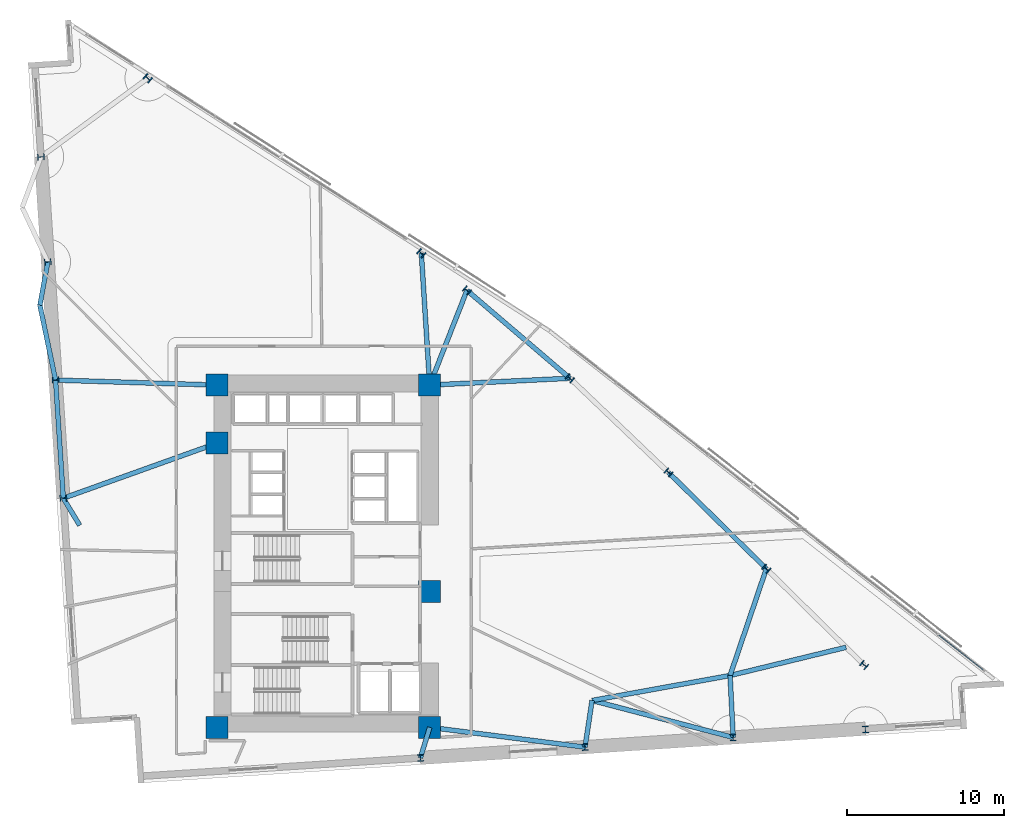
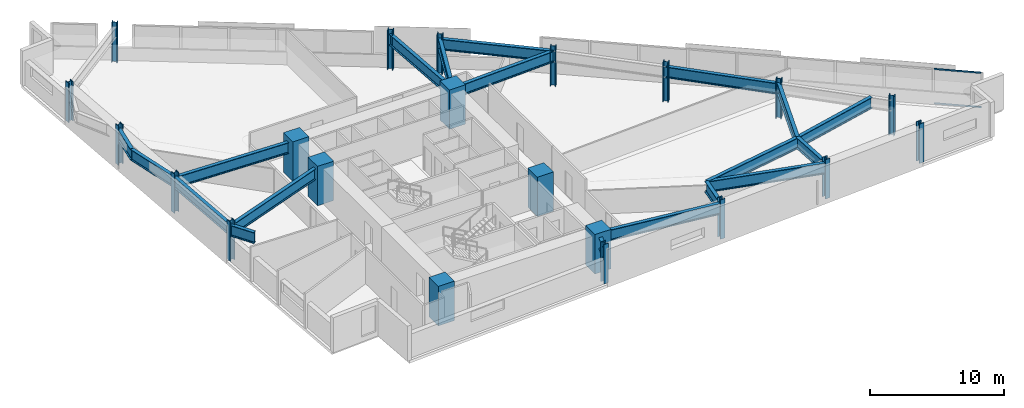
# One storey, part 1 of 15: 21 columns, 19 beams, 2 members, 1 element without a shape of its own.
"""IFC4 building model written with IfcOpenShell, lengths in metres."""

import ifcopenshell
import ifcopenshell.guid

model = None  # the IFC model being written
_history = None  # IfcOwnerHistory: only IFC2X3 demands one
_inside = {}  # id of a spatial element -> (the spatial element, [elements in it])
_under = {}  # id of a project, library or spatial element -> (it, [spatial elements below it])
_declared = {}  # id of a project -> (the project, [libraries it declares])
_typed = {}  # id of a type object -> (the type object, [elements of that type])
_made_of = {}  # id of a material, layer set ... -> (it, [elements and type objects made of it])


def new_model(schema):
    """Start an empty IFC model of exactly this schema.

    Asked for "IFC4X3", IfcOpenShell would pick the latest addendum, in which some entities
    have other attributes; the version numbers below select the first issue.
    IFC2X3 requires an IfcOwnerHistory on every rooted entity: one is made here for all.
    """
    global model, _history
    if schema == "IFC4X3":
        model = ifcopenshell.file(schema_version=(4, 3, 0, 0))
    else:
        model = ifcopenshell.file(schema=schema)
    _inside.clear()
    _under.clear()
    _declared.clear()
    _typed.clear()
    _made_of.clear()
    _history = None
    if model.schema == "IFC2X3":
        org = make("IfcOrganization", Name="unknown")
        user = make(
            "IfcPersonAndOrganization",
            ThePerson=make("IfcPerson", FamilyName="unknown"),
            TheOrganization=org,
        )
        app = make(
            "IfcApplication",
            ApplicationDeveloper=org,
            Version="unknown",
            ApplicationFullName="unknown",
            ApplicationIdentifier="unknown",
        )
        _history = make(
            "IfcOwnerHistory",
            OwningUser=user,
            OwningApplication=app,
            ChangeAction="ADDED",
            CreationDate=0,
        )
    return model


def make(cls, **values):
    """One entity of the class cls with the attributes given. An attribute that is None is left unset."""
    return model.create_entity(
        cls, **{name: value for name, value in values.items() if value is not None}
    )


def rooted(cls, **values):
    """An entity with a GlobalId (a new one), such as an element, a storey or a relation."""
    return make(cls, GlobalId=ifcopenshell.guid.new(), OwnerHistory=_history, **values)


def si_unit(unit_type, name, prefix=None):
    """IfcSIUnit, for example si_unit("LENGTHUNIT", "METRE", prefix="MILLI")."""
    return make("IfcSIUnit", UnitType=unit_type, Prefix=prefix, Name=name)


def assignment(units):
    """IfcUnitAssignment: the units of a project."""
    return None if units is None else make("IfcUnitAssignment", Units=units)


def point(xyz):
    """IfcCartesianPoint."""
    return None if xyz is None else make("IfcCartesianPoint", Coordinates=xyz)


def direction(xyz):
    """IfcDirection."""
    return None if xyz is None else make("IfcDirection", DirectionRatios=xyz)


def frame(location, z_axis=None, x_axis=None):
    """IfcAxis2Placement3D, a coordinate frame: its origin and axes. An axis left out is left unset."""
    return make(
        "IfcAxis2Placement3D",
        Location=point(location),
        Axis=direction(z_axis),
        RefDirection=direction(x_axis),
    )


def frame_2d(location, x_axis=None):
    """IfcAxis2Placement2D, a coordinate frame in the plane: its origin and x axis."""
    return make(
        "IfcAxis2Placement2D", Location=point(location), RefDirection=direction(x_axis)
    )


def origin():
    """The frame at (0, 0, 0) with its axes left unset."""
    return frame((0.0, 0.0, 0.0))


def origin_2d():
    """The frame at (0, 0) in the plane with its x axis left unset."""
    return frame_2d((0.0, 0.0))


def place(relative_to, where):
    """IfcLocalPlacement: puts the frame where relative to a parent placement (None: the world)."""
    return make(
        "IfcLocalPlacement", PlacementRelTo=relative_to, RelativePlacement=where
    )


def context(
    kind, dimensions, precision=None, world=None, true_north=None, identifier=None
):
    """IfcGeometricRepresentationContext, for example the 3D "Model" context."""
    return make(
        "IfcGeometricRepresentationContext",
        ContextIdentifier=identifier,
        ContextType=kind,
        CoordinateSpaceDimension=dimensions,
        Precision=precision,
        WorldCoordinateSystem=world,
        TrueNorth=true_north,
    )


def subcontext(parent, identifier, kind, view, scale=None):
    """IfcGeometricRepresentationSubContext, for example "Body" below "Model"."""
    return make(
        "IfcGeometricRepresentationSubContext",
        ContextIdentifier=identifier,
        ContextType=kind,
        ParentContext=parent,
        TargetScale=scale,
        TargetView=view,
    )


def project(units=None, contexts=None):
    """IfcProject with its units and contexts."""
    return rooted(
        "IfcProject",
        Name="project",
        RepresentationContexts=contexts,
        UnitsInContext=assignment(units),
    )


def spatial(cls, under=None, at=None, **own):
    """A site, building, storey or space (cls), placed at a placement, below another one or the project."""
    s = rooted(cls, ObjectPlacement=at, **own)
    if under is not None:
        _under.setdefault(under.id(), (under, []))[1].append(s)
    return s


def profile(cls, at=None, kind="AREA", **sizes):
    """A parametric profile (cls). Its sizes go by their IFC names, for example OverallWidth=200.0."""
    return make(cls, ProfileType=kind, Position=at, **sizes)


def rectangle(**sizes):
    """IfcRectangleProfileDef."""
    return profile("IfcRectangleProfileDef", **sizes)


def hollow_rectangle(**sizes):
    """IfcRectangleHollowProfileDef."""
    return profile("IfcRectangleHollowProfileDef", **sizes)


def i_section(**sizes):
    """IfcIShapeProfileDef."""
    return profile("IfcIShapeProfileDef", **sizes)


def extrude(swept, where, along, depth):
    """IfcExtrudedAreaSolid: the profile swept, set in the frame where, extruded along a direction by depth."""
    return make(
        "IfcExtrudedAreaSolid",
        SweptArea=swept,
        Position=where,
        ExtrudedDirection=direction(along),
        Depth=depth,
    )


def shape(context_of_items, identifier, shape_type, items):
    """IfcShapeRepresentation: the items that make up one representation, for example the "Body"."""
    return make(
        "IfcShapeRepresentation",
        ContextOfItems=context_of_items,
        RepresentationIdentifier=identifier,
        RepresentationType=shape_type,
        Items=items,
    )


def material(Name=None, Category=None):
    """IfcMaterial."""
    return make("IfcMaterial", Name=Name, Category=Category)


def material_profile(
    of_material, cross_section, Name=None, Category=None, Priority=None
):
    """IfcMaterialProfile: a cross section and its material."""
    return make(
        "IfcMaterialProfile",
        Name=Name,
        Material=of_material,
        Profile=cross_section,
        Priority=Priority,
        Category=Category,
    )


def profile_set(profiles, Name=None, composite=None):
    """IfcMaterialProfileSet."""
    return make(
        "IfcMaterialProfileSet",
        Name=Name,
        MaterialProfiles=profiles,
        CompositeProfile=composite,
    )


def made_of(thing, what):
    """Note that an element or type object is made of a material, layer set ...; save() writes the relation."""
    if what is not None:
        _made_of.setdefault(what.id(), (what, []))[1].append(thing)
    return thing


def type_object(cls, material=None, **own):
    """A type object (cls), such as IfcWallType, which elements share."""
    return made_of(rooted(cls, **own), material)


def element(
    cls,
    number,
    at=None,
    inside=None,
    cuts=None,
    type_object=None,
    material=None,
    context=None,
    identifier="Body",
    shape_type=None,
    held_by="IfcProductDefinitionShape",
    body=None,
    shapes=None,
    **own,
):
    """One element of the class cls, such as IfcWall. Its Tag is "e" and its number.

    at: its placement. inside: the storey or other place that contains it. cuts: it is an
    opening in that element (IfcRelVoidsElement). A single representation is given by context,
    identifier, shape_type and body (its items); several are given by shapes. held_by: the class
    of the entity that holds the representations. save() writes the other relations.
    """
    e = rooted(cls, Tag="e%d" % number, ObjectPlacement=at, **own)
    if body is not None:
        shapes = [shape(context, identifier, shape_type, body)]
    if shapes is not None:
        e.Representation = make(held_by, Representations=shapes)
    if inside is not None:
        _inside.setdefault(inside.id(), (inside, []))[1].append(e)
    if cuts is not None:
        rooted(
            "IfcRelVoidsElement", RelatingBuildingElement=cuts, RelatedOpeningElement=e
        )
    if type_object is not None:
        _typed.setdefault(type_object.id(), (type_object, []))[1].append(e)
    return made_of(e, material)


def aggregate(whole, parts):
    """IfcRelAggregates: a whole, such as a stair, and the parts it consists of."""
    return rooted("IfcRelAggregates", RelatingObject=whole, RelatedObjects=parts)


def save(model, path):
    """Write the relations noted so far, then the file.

    IfcRelAggregates (storeys below a building ...), IfcRelContainedInSpatialStructure (elements
    in a storey), IfcRelDefinesByType, IfcRelAssociatesMaterial and IfcRelDeclares: one each for
    every whole, place, type object, material and project.
    """
    for whole, parts in _under.values():
        aggregate(whole, parts)
    for where, things in _inside.values():
        rooted(
            "IfcRelContainedInSpatialStructure",
            RelatedElements=things,
            RelatingStructure=where,
        )
    for kind, things in _typed.values():
        rooted("IfcRelDefinesByType", RelatedObjects=things, RelatingType=kind)
    for what, things in _made_of.values():
        rooted("IfcRelAssociatesMaterial", RelatedObjects=things, RelatingMaterial=what)
    for by, libraries in _declared.values():
        rooted("IfcRelDeclares", RelatingContext=by, RelatedDefinitions=libraries)
    model.write(path)


model = new_model("IFC4")

# Units and contexts
model_context = context("Model", 3, precision=1e-05, world=origin(), true_north=direction((0.0, 1.0)))
body_context = subcontext(model_context, "Body", "Model", "MODEL_VIEW")
ifc_project = project(units=[si_unit("LENGTHUNIT", "METRE"), si_unit("AREAUNIT", "SQUARE_METRE"), si_unit("VOLUMEUNIT", "CUBIC_METRE"), si_unit("PLANEANGLEUNIT", "RADIAN"), si_unit("MASSUNIT", "GRAM", prefix="KILO")], contexts=[model_context])

# Site, building, storey
site_placement = place(None, origin())
site = spatial("IfcSite", under=ifc_project, at=site_placement, CompositionType="ELEMENT")
building_placement = place(site_placement, origin())
building = spatial("IfcBuilding", under=site, at=building_placement, Name="Narakoshi Arena Tower", CompositionType="ELEMENT")
storey_placement = place(building_placement, frame((0.0, 0.0, 92.10009765625)))
storey = spatial("IfcBuildingStorey", under=building, at=storey_placement, Name="L24", CompositionType="ELEMENT", Elevation=92.10009765625)

# Columns
ifc_material_1 = material(Name="Concrete C60/75", Category="concrete")
ifc_material_profile_1 = material_profile(ifc_material_1, rectangle(XDim=1.39990234375, YDim=1.39990234375, at=origin_2d()), Name="RC1400x1400")
ifc_profile_set_1 = profile_set([ifc_material_profile_1], Name="Concrete C60/75")
column_type_1 = type_object("IfcColumnType", Name="COL-RC1400", PredefinedType="COLUMN", material=ifc_profile_set_1)
for number, where, z_axis, x_axis, name in (
    (1, (72.0, 34.699951171875, 0.0), (0.0, 0.0, 1.0), (1.0, 0.0, 0.0), "L24 Core Structural Column CC1"),
    (2, (85.550048828125, 34.699951171875, 0.0), (0.0, 0.0, 1.0), (1.0, 0.0, 0.0), "L24 Core Structural Column CC2"),
    (3, (85.550048828125, 43.35009765625, 0.0), (0.0, 0.0, 1.0), (1.0, 0.0, 0.0), "L24 Core Structural Column CC3"),
    (4, (72.0, 52.800048828125, 0.0), (0.0, 0.0, 1.0), (1.0, 0.0, 0.0), "L24 Core Structural Column CC4"),
    (5, (72.0, 56.5, 0.0), (0.0, 0.0, 1.0), (1.0, 0.0, 0.0), "L24 Core Structural Column CC5"),
    (6, (85.550048828125, 56.5, 0.0), (0.0, 0.0, 1.0), (1.0, 0.0, 0.0), "L24 Core Structural Column CC6"),
):
    element("IfcColumn", number, at=place(storey_placement, frame(where, z_axis=z_axis, x_axis=x_axis)), inside=storey, type_object=column_type_1, Name=name, PredefinedType="COLUMN", context=body_context, shape_type="SweptSolid", body=[
        extrude(rectangle(XDim=1.39990234375, YDim=1.39990234375, at=origin_2d()), origin(), (0.0, 0.0, 1.0), 3.599853515625),
    ])
ifc_material_2 = material(Name="Structural steel S460ML", Category="steel")
ifc_material_profile_2 = material_profile(ifc_material_2, i_section(OverallWidth=0.416015625, OverallDepth=0.446044921875, WebThickness=0.0390625, FlangeThickness=0.062744140625, FilletRadius=0.014892578125, at=origin_2d()), Name="HD400x509")
ifc_profile_set_2 = profile_set([ifc_material_profile_2], Name="Structural steel S460ML")
column_type_2 = type_object("IfcColumnType", Name="COL-STL509", PredefinedType="COLUMN", material=ifc_profile_set_2)
for number, where, z_axis, x_axis, name in (
    (7, (84.95703125, 32.7509765625, 0.0), (0.0, 0.0, 1.0), (0.997858923239, 0.06540312923, 0.0), "L24 Tower Perimeter Column TC01"),
    (8, (95.44189453125, 33.43798828125, 0.0), (0.0, 0.0, 1.0), (0.997858923239, 0.06540312923, 0.0), "L24 Tower Perimeter Column TC02"),
    (9, (104.8779296875, 34.056640625, 0.0), (0.0, 0.0, 1.0), (0.997858923239, 0.06540312923, 0.0), "L24 Tower Perimeter Column TC03"),
    (10, (113.299560546875, 34.5634765625, 0.0), (0.0, 0.0, 1.0), (0.997858923239, 0.06540312923, 0.0), "L24 Tower Perimeter Column TC04"),
    (11, (113.21630859375, 38.669189453125, 0.0), (0.0, 0.0, 1.0), (0.6593458151, 0.751839807479, 0.0), "L24 Tower Perimeter Column TC05"),
    (12, (106.989990234375, 44.800537109375, 0.0), (0.0, 0.0, 1.0), (0.6593458151, 0.751839807479, 0.0), "L24 Tower Perimeter Column TC06"),
    (13, (100.76318359375, 50.931640625, 0.0), (0.0, 0.0, 1.0), (0.6593458151, 0.751839807479, 0.0), "L24 Tower Perimeter Column TC07"),
    (14, (94.47900390625, 56.934814453125, 0.0), (0.0, 0.0, 1.0), (0.6593458151, 0.751839807479, 0.0), "L24 Tower Perimeter Column TC08"),
    (15, (87.922607421875, 62.534423828125, 0.0), (0.0, 0.0, 1.0), (0.6593458151, 0.751839807479, 0.0), "L24 Tower Perimeter Column TC09"),
    (16, (85.0146484375, 64.89794921875, 0.0), (0.0, 0.0, 1.0), (0.6593458151, 0.751839807479, 0.0), "L24 Tower Perimeter Column TC10"),
    (17, (67.58984375, 76.04345703125, 0.0), (0.0, 0.0, 1.0), (0.6593458151, 0.751839807479, 0.0), "L24 Tower Perimeter Column TC11"),
    (18, (60.785400390625, 71.031005859375, 0.0), (0.0, 0.0, 1.0), (-0.06540312923, 0.997858923239, 0.0), "L24 Tower Perimeter Column TC13"),
    (19, (61.223876953125, 64.343017578125, 0.0), (0.0, 0.0, 1.0), (-0.06540312923, 0.997858923239, 0.0), "L24 Tower Perimeter Column TC14"),
    (20, (61.716796875, 56.819091796875, 0.0), (0.0, 0.0, 1.0), (-0.06540312923, 0.997858923239, 0.0), "L24 Tower Perimeter Column TC15"),
    (21, (62.210205078125, 49.294921875, 0.0), (0.0, 0.0, 1.0), (-0.06540312923, 0.997858923239, 0.0), "L24 Tower Perimeter Column TC16"),
):
    element("IfcColumn", number, at=place(storey_placement, frame(where, z_axis=z_axis, x_axis=x_axis)), inside=storey, type_object=column_type_2, Name=name, PredefinedType="COLUMN", context=body_context, shape_type="SweptSolid", body=[
        extrude(i_section(OverallWidth=0.416015625, OverallDepth=0.446044921875, WebThickness=0.0390625, FlangeThickness=0.062744140625, FilletRadius=0.014892578125, at=origin_2d()), origin(), (0.0, 0.0, 1.0), 3.599853515625),
    ])

# Beams
ifc_material_profile_3 = material_profile(ifc_material_2, i_section(OverallWidth=0.302001953125, OverallDepth=1.008056640625, WebThickness=0.02099609375, FlangeThickness=0.0400390625, FilletRadius=0.030029296875, at=origin_2d()), Name="HE1000M")
ifc_profile_set_3 = profile_set([ifc_material_profile_3], Name="Structural steel S460ML")
beam_type = type_object("IfcBeamType", Name="BM-XFER-1000", PredefinedType="BEAM", material=ifc_profile_set_3)
beam_1_placement = place(storey_placement, frame((85.550048828125, 34.699951171875, 2.69580078125), z_axis=(-0.291094852197, -0.956694197236, 0.0), x_axis=(0.956694197236, -0.291094852197, 0.0)))
element("IfcBeam", 22, at=beam_1_placement, inside=storey, type_object=beam_type, Name="L24 Lower Transfer Radial Girder 01", PredefinedType="BEAM", context=body_context, shape_type="SweptSolid", body=[
    extrude(i_section(OverallWidth=0.302001953125, OverallDepth=1.008056640625, WebThickness=0.02099609375, FlangeThickness=0.0400390625, FilletRadius=0.030029296875, at=origin_2d()), origin(), (0.0, 0.0, 1.0), 2.037109375),
])
beam_2_placement = place(storey_placement, frame((85.550048828125, 34.699951171875, 2.69580078125), z_axis=(0.991960179984, -0.126550390462, 0.0), x_axis=(0.126550390462, 0.991960179984, 0.0)))
element("IfcBeam", 23, at=beam_2_placement, inside=storey, type_object=beam_type, Name="L24 Lower Transfer Radial Girder 02", PredefinedType="BEAM", context=body_context, shape_type="SweptSolid", body=[
    extrude(i_section(OverallWidth=0.302001953125, OverallDepth=1.008056640625, WebThickness=0.02099609375, FlangeThickness=0.0400390625, FilletRadius=0.030029296875, at=origin_2d()), origin(), (0.0, 0.0, 1.0), 9.971923828125),
])
beam_3_placement = place(storey_placement, frame((85.550048828125, 56.5, 2.69580078125), z_axis=(0.998816399631, 0.048639488359, 0.0), x_axis=(-0.048639488359, 0.998816399631, 0.0)))
element("IfcBeam", 24, at=beam_3_placement, inside=storey, type_object=beam_type, Name="L24 Lower Transfer Radial Girder 08", PredefinedType="BEAM", context=body_context, shape_type="SweptSolid", body=[
    extrude(i_section(OverallWidth=0.302001953125, OverallDepth=1.008056640625, WebThickness=0.02099609375, FlangeThickness=0.0400390625, FilletRadius=0.030029296875, at=origin_2d()), origin(), (0.0, 0.0, 1.0), 8.939453125),
])
beam_4_placement = place(storey_placement, frame((85.550048828125, 56.5, 2.69580078125), z_axis=(0.365905149474, 0.930652148543, 0.0), x_axis=(-0.930652148543, 0.365905149474, 0.0)))
element("IfcBeam", 25, at=beam_4_placement, inside=storey, type_object=beam_type, Name="L24 Lower Transfer Radial Girder 09", PredefinedType="BEAM", context=body_context, shape_type="SweptSolid", body=[
    extrude(i_section(OverallWidth=0.302001953125, OverallDepth=1.008056640625, WebThickness=0.02099609375, FlangeThickness=0.0400390625, FilletRadius=0.030029296875, at=origin_2d()), origin(), (0.0, 0.0, 1.0), 6.484130859375),
])
beam_5_placement = place(storey_placement, frame((85.550048828125, 56.5, 2.69580078125), z_axis=(-0.063624535653, 0.997973906704, 0.0), x_axis=(-0.997973906704, -0.063624535653, 0.0)))
element("IfcBeam", 26, at=beam_5_placement, inside=storey, type_object=beam_type, Name="L24 Lower Transfer Radial Girder 10", PredefinedType="BEAM", context=body_context, shape_type="SweptSolid", body=[
    extrude(i_section(OverallWidth=0.302001953125, OverallDepth=1.008056640625, WebThickness=0.02099609375, FlangeThickness=0.0400390625, FilletRadius=0.030029296875, at=origin_2d()), origin(), (0.0, 0.0, 1.0), 8.4150390625),
])
beam_6_placement = place(storey_placement, frame((72.0, 56.5, 2.69580078125), z_axis=(-0.99951890487, 0.031015460795, 0.0), x_axis=(-0.031015460795, -0.99951890487, 0.0)))
element("IfcBeam", 27, at=beam_6_placement, inside=storey, type_object=beam_type, Name="L24 Lower Transfer Radial Girder 14", PredefinedType="BEAM", context=body_context, shape_type="SweptSolid", body=[
    extrude(i_section(OverallWidth=0.302001953125, OverallDepth=1.008056640625, WebThickness=0.02099609375, FlangeThickness=0.0400390625, FilletRadius=0.030029296875, at=origin_2d()), origin(), (0.0, 0.0, 1.0), 10.2880859375),
])
beam_7_placement = place(storey_placement, frame((72.0, 52.800048828125, 2.69580078125), z_axis=(-0.941474424124, -0.33708442373, 0.0), x_axis=(0.33708442373, -0.941474424124, 0.0)))
element("IfcBeam", 28, at=beam_7_placement, inside=storey, type_object=beam_type, Name="L24 Lower Transfer Radial Girder 15", PredefinedType="BEAM", context=body_context, shape_type="SweptSolid", body=[
    extrude(i_section(OverallWidth=0.302001953125, OverallDepth=1.008056640625, WebThickness=0.02099609375, FlangeThickness=0.0400390625, FilletRadius=0.030029296875, at=origin_2d()), origin(), (0.0, 0.0, 1.0), 10.3984375),
])
beam_8_placement = place(storey_placement, frame((95.44189453125, 33.43798828125, 2.69580078125), z_axis=(0.149043032982, 0.988830710648, 0.0), x_axis=(-0.988830710648, 0.149043032982, 0.0)))
element("IfcBeam", 29, at=beam_8_placement, inside=storey, type_object=beam_type, Name="L24 Block-Turn Transfer Node Girder 01-1", PredefinedType="BEAM", context=body_context, shape_type="SweptSolid", body=[
    extrude(i_section(OverallWidth=0.302001953125, OverallDepth=1.008056640625, WebThickness=0.02099609375, FlangeThickness=0.0400390625, FilletRadius=0.030029296875, at=origin_2d()), origin(), (0.0, 0.0, 1.0), 3.007568359375),
])
beam_9_placement = place(storey_placement, frame((104.8779296875, 34.056640625, 2.69580078125), z_axis=(-0.967338480679, 0.25348819262, 0.0), x_axis=(-0.25348819262, -0.967338480679, 0.0)))
element("IfcBeam", 30, at=beam_9_placement, inside=storey, type_object=beam_type, Name="L24 Block-Turn Transfer Node Girder 01-2", PredefinedType="BEAM", context=body_context, shape_type="SweptSolid", body=[
    extrude(i_section(OverallWidth=0.302001953125, OverallDepth=1.008056640625, WebThickness=0.02099609375, FlangeThickness=0.0400390625, FilletRadius=0.030029296875, at=origin_2d()), origin(), (0.0, 0.0, 1.0), 9.291259765625),
])
beam_10_placement = place(storey_placement, frame((104.8779296875, 34.056640625, 2.69580078125), z_axis=(-0.049758807832, 0.998761263287, 0.0), x_axis=(-0.998761263287, -0.049758807832, 0.0)))
element("IfcBeam", 31, at=beam_10_placement, inside=storey, type_object=beam_type, Name="L24 Block-Turn Transfer Node Girder 02-1", PredefinedType="BEAM", context=body_context, shape_type="SweptSolid", body=[
    extrude(i_section(OverallWidth=0.302001953125, OverallDepth=1.008056640625, WebThickness=0.02099609375, FlangeThickness=0.0400390625, FilletRadius=0.030029296875, at=origin_2d()), origin(), (0.0, 0.0, 1.0), 3.94970703125),
])
beam_11_placement = place(storey_placement, frame((106.989990234375, 44.800537109375, 2.69580078125), z_axis=(-0.321516853862, -0.946903856092, 0.0), x_axis=(0.946903856092, -0.321516853862, 0.0)))
element("IfcBeam", 32, at=beam_11_placement, inside=storey, type_object=beam_type, Name="L24 Block-Turn Transfer Node Girder 02-2", PredefinedType="BEAM", context=body_context, shape_type="SweptSolid", body=[
    extrude(i_section(OverallWidth=0.302001953125, OverallDepth=1.008056640625, WebThickness=0.02099609375, FlangeThickness=0.0400390625, FilletRadius=0.030029296875, at=origin_2d()), origin(), (0.0, 0.0, 1.0), 7.180419921875),
])
beam_12_placement = place(storey_placement, frame((106.989990234375, 44.800537109375, 2.69580078125), z_axis=(-0.71256144736, 0.701609708981, 0.0), x_axis=(-0.701609708981, -0.71256144736, 0.0)))
element("IfcBeam", 33, at=beam_12_placement, inside=storey, type_object=beam_type, Name="L24 Block-Turn Transfer Chord Girder 05", PredefinedType="BEAM", context=body_context, shape_type="SweptSolid", body=[
    extrude(i_section(OverallWidth=0.302001953125, OverallDepth=1.008056640625, WebThickness=0.02099609375, FlangeThickness=0.0400390625, FilletRadius=0.030029296875, at=origin_2d()), origin(), (0.0, 0.0, 1.0), 8.738525390625),
])
beam_13_placement = place(storey_placement, frame((94.47900390625, 56.934814453125, 2.69580078125), z_axis=(-0.760410675305, 0.649442533934, 0.0), x_axis=(-0.649442533934, -0.760410675305, 0.0)))
element("IfcBeam", 34, at=beam_13_placement, inside=storey, type_object=beam_type, Name="L24 Block-Turn Transfer Chord Girder 07", PredefinedType="BEAM", context=body_context, shape_type="SweptSolid", body=[
    extrude(i_section(OverallWidth=0.302001953125, OverallDepth=1.008056640625, WebThickness=0.02099609375, FlangeThickness=0.0400390625, FilletRadius=0.030029296875, at=origin_2d()), origin(), (0.0, 0.0, 1.0), 8.6220703125),
])
beam_14_placement = place(storey_placement, frame((61.223876953125, 64.343017578125, 2.69580078125), z_axis=(-0.179659407473, -0.983728873881, 0.0), x_axis=(0.983728873881, -0.179659407473, 0.0)))
element("IfcBeam", 35, at=beam_14_placement, inside=storey, type_object=beam_type, Name="L24 Block-Turn Transfer Node Girder 11-1", PredefinedType="BEAM", context=body_context, shape_type="SweptSolid", body=[
    extrude(i_section(OverallWidth=0.302001953125, OverallDepth=1.008056640625, WebThickness=0.02099609375, FlangeThickness=0.0400390625, FilletRadius=0.030029296875, at=origin_2d()), origin(), (0.0, 0.0, 1.0), 2.803466796875),
])
beam_15_placement = place(storey_placement, frame((61.716796875, 56.819091796875, 2.69580078125), z_axis=(-0.204671007904, 0.978830822218, 0.0), x_axis=(-0.978830822218, -0.204671007904, 0.0)))
element("IfcBeam", 36, at=beam_15_placement, inside=storey, type_object=beam_type, Name="L24 Block-Turn Transfer Node Girder 11-2", PredefinedType="BEAM", context=body_context, shape_type="SweptSolid", body=[
    extrude(i_section(OverallWidth=0.302001953125, OverallDepth=1.008056640625, WebThickness=0.02099609375, FlangeThickness=0.0400390625, FilletRadius=0.030029296875, at=origin_2d()), origin(), (0.0, 0.0, 1.0), 4.869140625),
])
beam_16_placement = place(storey_placement, frame((61.716796875, 56.819091796875, 2.69580078125), z_axis=(0.06543588513, -0.997856775764, 0.0), x_axis=(0.997856775764, 0.06543588513, 0.0)))
element("IfcBeam", 37, at=beam_16_placement, inside=storey, type_object=beam_type, Name="L24 Block-Turn Transfer Chord Girder 12", PredefinedType="BEAM", context=body_context, shape_type="SweptSolid", body=[
    extrude(i_section(OverallWidth=0.302001953125, OverallDepth=1.008056640625, WebThickness=0.02099609375, FlangeThickness=0.0400390625, FilletRadius=0.030029296875, at=origin_2d()), origin(), (0.0, 0.0, 1.0), 7.540283203125),
])
beam_17_placement = place(storey_placement, frame((62.210205078125, 49.294921875, 2.69580078125), z_axis=(0.517318499242, -0.85579294829, 0.0), x_axis=(0.85579294829, 0.517318499242, 0.0)))
element("IfcBeam", 38, at=beam_17_placement, inside=storey, type_object=beam_type, Name="L24 Block-Turn Transfer Node Girder 13-1", PredefinedType="BEAM", context=body_context, shape_type="SweptSolid", body=[
    extrude(i_section(OverallWidth=0.302001953125, OverallDepth=1.008056640625, WebThickness=0.02099609375, FlangeThickness=0.0400390625, FilletRadius=0.030029296875, at=origin_2d()), origin(), (0.0, 0.0, 1.0), 2.020263671875),
])
beam_18_placement = place(storey_placement, frame((95.89013671875, 36.411865234375, 2.69580078125), z_axis=(0.984043032412, 0.177930633565, 0.0), x_axis=(-0.177930633565, 0.984043032412, 0.0)))
element("IfcBeam", 39, at=beam_18_placement, inside=storey, type_object=beam_type, Name="L24 Upper-Block Transfer Ring Girder 01", PredefinedType="BEAM", context=body_context, shape_type="SweptSolid", body=[
    extrude(i_section(OverallWidth=0.302001953125, OverallDepth=1.008056640625, WebThickness=0.02099609375, FlangeThickness=0.0400390625, FilletRadius=0.030029296875, at=origin_2d()), origin(), (0.0, 0.0, 1.0), 8.933837890625),
])
beam_19_placement = place(storey_placement, frame((104.681396484375, 38.00146484375, 2.69580078125), z_axis=(0.971695296423, 0.236237700019, 0.0), x_axis=(-0.236237700019, 0.971695296423, 0.0)))
element("IfcBeam", 40, at=beam_19_placement, inside=storey, type_object=beam_type, Name="L24 Upper-Block Transfer Ring Girder 02", PredefinedType="BEAM", context=body_context, shape_type="SweptSolid", body=[
    extrude(i_section(OverallWidth=0.302001953125, OverallDepth=1.008056640625, WebThickness=0.02099609375, FlangeThickness=0.0400390625, FilletRadius=0.030029296875, at=origin_2d()), origin(), (0.0, 0.0, 1.0), 7.604248046875),
])

# Curtain wall, members
ifc_material_3 = material(Name="Anodised bronze aluminium 6063-T6", Category="aluminium")
curtain_wall_type = type_object("IfcCurtainWallType", Name="CW-HYP-LOW", PredefinedType="NOTDEFINED", material=ifc_material_3)
curtain_wall_placement = place(storey_placement, origin())
curtain_wall = element("IfcCurtainWall", 41, at=curtain_wall_placement, inside=storey, type_object=curtain_wall_type, Name="L24 Folded Hypotenuse Curtain Wall 1-1", PredefinedType="NOTDEFINED")
ifc_material_profile_4 = material_profile(ifc_material_3, hollow_rectangle(XDim=0.06494140625, YDim=0.1298828125, WallThickness=0.00390625, OuterFilletRadius=0.0048828125, at=origin_2d()), Name="TRN130x65x4")
ifc_profile_set_4 = profile_set([ifc_material_profile_4], Name="Anodised bronze aluminium 6063-T6")
member_type = type_object("IfcMemberType", Name="MEM-TRN-130", PredefinedType="USERDEFINED", material=ifc_profile_set_4)
member_1_placement = place(storey_placement, frame((120.802978515625, 38.359130859375, 0.032470703125), z_axis=(-0.787356299908, 0.616498221405, 0.0), x_axis=(-0.616498221405, -0.787356299908, 0.0)))
member_1 = element("IfcMember", 42, at=member_1_placement, type_object=member_type, Name="CW-01 transom 1.1", ObjectType="TRANSOM", PredefinedType="USERDEFINED", context=body_context, shape_type="SweptSolid", body=[
    extrude(hollow_rectangle(XDim=0.06494140625, YDim=0.1298828125, WallThickness=0.00390625, OuterFilletRadius=0.0048828125, at=origin_2d()), origin(), (0.0, 0.0, 1.0), 3.603759765625),
])
member_2_placement = place(storey_placement, frame((120.802978515625, 38.359130859375, 3.16748046875), z_axis=(-0.787356299908, 0.616498221405, 0.0), x_axis=(-0.616498221405, -0.787356299908, 0.0)))
member_2 = element("IfcMember", 43, at=member_2_placement, type_object=member_type, Name="CW-01 transom 1.2", ObjectType="TRANSOM", PredefinedType="USERDEFINED", context=body_context, shape_type="SweptSolid", body=[
    extrude(hollow_rectangle(XDim=0.06494140625, YDim=0.1298828125, WallThickness=0.00390625, OuterFilletRadius=0.0048828125, at=origin_2d()), origin(), (0.0, 0.0, 1.0), 3.603759765625),
])
aggregate(curtain_wall, [member_1, member_2])

save(model, "model.ifc")
